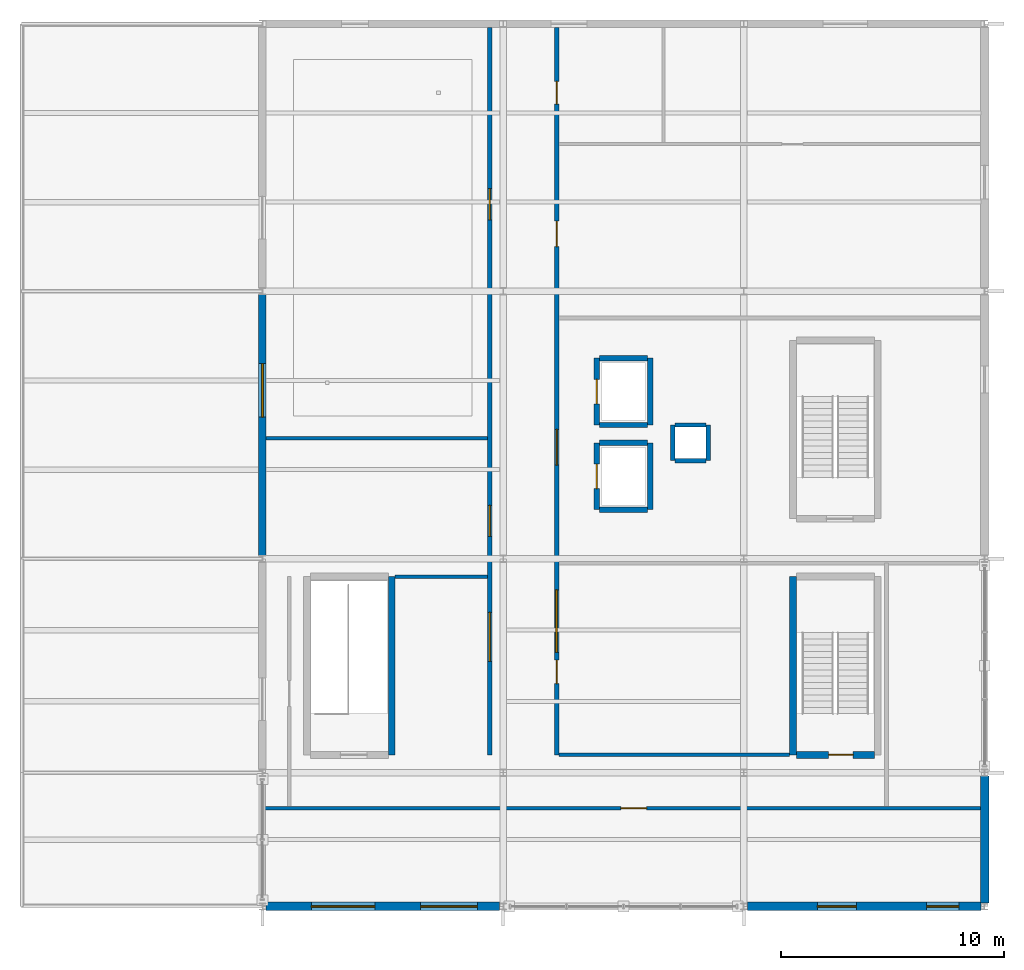
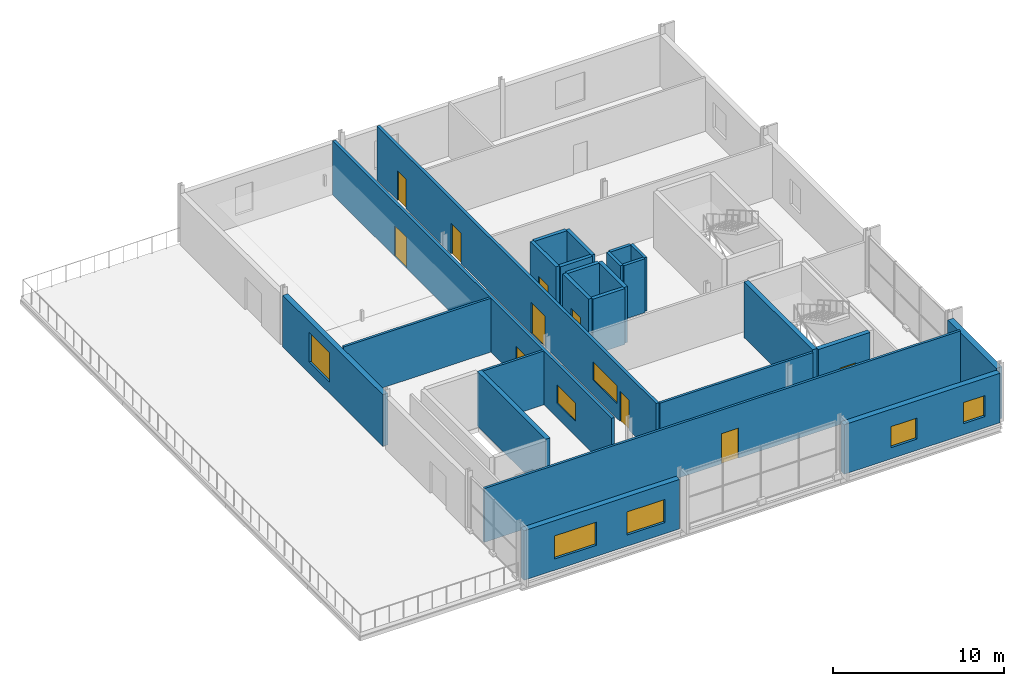
# One storey, part 11 of 13: 25 walls, 10 doors, 7 windows, 17 openings.
"""IFC4 building model written with IfcOpenShell, lengths in metres."""

from ifc_helpers import new_model, si_unit, direction, frame, frame_2d, origin, place, context, subcontext, project, spatial, rectangle, extrude, material, layer, layer_set, type_object, element, fill, save


model = new_model("IFC4")

# Units and contexts
model_context = context("Model", 3, precision=1e-05, world=origin(), true_north=direction((0.0, 1.0)))
body_context = subcontext(model_context, "Body", "Model", "MODEL_VIEW")
ifc_project = project(units=[si_unit("LENGTHUNIT", "METRE"), si_unit("AREAUNIT", "SQUARE_METRE"), si_unit("VOLUMEUNIT", "CUBIC_METRE"), si_unit("PLANEANGLEUNIT", "RADIAN"), si_unit("MASSUNIT", "GRAM", prefix="KILO")], contexts=[model_context])

# Site, building, storey
site_placement = place(None, origin())
site = spatial("IfcSite", under=ifc_project, at=site_placement, CompositionType="ELEMENT")
building_placement = place(site_placement, origin())
building = spatial("IfcBuilding", under=site, at=building_placement, Name="Merenkruunu Market Hall", CompositionType="ELEMENT")
storey_placement = place(building_placement, frame((0.0, 0.0, 14.39990234375)))
storey = spatial("IfcBuildingStorey", under=building, at=storey_placement, Name="L03", CompositionType="ELEMENT", Elevation=14.39990234375)

# Wall, openings, windows
ifc_material_1 = material(Name="Precast concrete C40/50", Category="concrete")
ifc_layer_1 = layer(ifc_material_1, 0.3798828125)
ifc_layer_set_1 = layer_set([ifc_layer_1], Name="Precast concrete C40/50")
wall_type_1 = type_object("IfcWallType", Name="Exterior Envelope Wall EW02", PredefinedType="STANDARD", material=ifc_layer_set_1)
wall_1_placement = place(storey_placement, frame((170.24609375, 0.0, 0.0), z_axis=(0.0, 0.0, 1.0), x_axis=(-1.0, 0.0, 0.0)))
wall_1 = element("IfcWall", 1, at=wall_1_placement, inside=storey, type_object=wall_type_1, Name="WALL-EXT-L03-0095", PredefinedType="STANDARD", context=body_context, shape_type="SweptSolid", body=[
    extrude(rectangle(XDim=10.4921875, YDim=0.3798828125, at=frame_2d((5.24609375, 0.0))), origin(), (0.0, 0.0, 1.0), 3.53515625),
])
opening_1_placement = place(wall_1_placement, frame((1.0, 0.0, 0.800048828125)))
opening_1 = element("IfcOpeningElement", 2, at=opening_1_placement, cuts=wall_1, Name="Opening WN27", PredefinedType="OPENING", context=body_context, shape_type="SweptSolid", body=[
    extrude(rectangle(XDim=2.550048828125, YDim=1.64990234375, at=frame_2d((1.27490234375, 0.824951171875))), frame((0.0, 0.199951171875, 0.0), z_axis=(0.0, -1.0, 0.0), x_axis=(1.0, 0.0, 0.0)), (0.0, 0.0, 1.0), 0.39990234375),
])
opening_2_placement = place(wall_1_placement, frame((5.60009765625, 0.0, 0.800048828125)))
opening_2 = element("IfcOpeningElement", 3, at=opening_2_placement, cuts=wall_1, Name="Opening WN28", PredefinedType="OPENING", context=body_context, shape_type="SweptSolid", body=[
    extrude(rectangle(XDim=2.85009765625, YDim=1.64990234375, at=frame_2d((1.425048828125, 0.824951171875))), frame((0.0, 0.199951171875, 0.0), z_axis=(0.0, -1.0, 0.0), x_axis=(1.0, 0.0, 0.0)), (0.0, 0.0, 1.0), 0.39990234375),
])
ifc_material_2 = material(Name="Triple low-E insulated glass", Category="glass")
ifc_layer_2 = layer(ifc_material_2, 0.06005859375)
ifc_layer_set_2 = layer_set([ifc_layer_2], Name="Triple low-E insulated glass")
window_type_1 = type_object("IfcWindowType", Name="Exterior Window WN27", PartitioningType="SINGLE_PANEL", PredefinedType="WINDOW", material=ifc_layer_set_2)
window_1_placement = place(opening_1_placement, origin())
window_1 = element("IfcWindow", 4, at=window_1_placement, inside=storey, type_object=window_type_1, Name="WIN-L03-0050", OverallHeight=1.64990234375, OverallWidth=2.550048828125, PartitioningType="SINGLE_PANEL", PredefinedType="WINDOW", context=body_context, shape_type="SweptSolid", body=[
    extrude(rectangle(XDim=2.550048828125, YDim=1.64990234375, at=frame_2d((1.27490234375, 0.824951171875))), frame((0.0, 0.030029296875, 0.0), z_axis=(0.0, -1.0, 0.0), x_axis=(1.0, 0.0, 0.0)), (0.0, 0.0, 1.0), 0.06005859375),
])
fill(opening_1, window_1)
ifc_layer_3 = layer(ifc_material_2, 0.06005859375)
ifc_layer_set_3 = layer_set([ifc_layer_3], Name="Triple low-E insulated glass")
window_type_2 = type_object("IfcWindowType", Name="Exterior Window WN28", PartitioningType="SINGLE_PANEL", PredefinedType="WINDOW", material=ifc_layer_set_3)
window_2_placement = place(opening_2_placement, origin())
window_2 = element("IfcWindow", 5, at=window_2_placement, inside=storey, type_object=window_type_2, Name="WIN-L03-0051", OverallHeight=1.64990234375, OverallWidth=2.85009765625, PartitioningType="SINGLE_PANEL", PredefinedType="WINDOW", context=body_context, shape_type="SweptSolid", body=[
    extrude(rectangle(XDim=2.85009765625, YDim=1.64990234375, at=frame_2d((1.425048828125, 0.824951171875))), frame((0.0, 0.030029296875, 0.0), z_axis=(0.0, -1.0, 0.0), x_axis=(1.0, 0.0, 0.0)), (0.0, 0.0, 1.0), 0.06005859375),
])
fill(opening_2, window_2)

wall_2_placement = place(storey_placement, frame((191.845947265625, 0.0, 0.0), z_axis=(0.0, 0.0, 1.0), x_axis=(-1.0, 0.0, 0.0)))
wall_2 = element("IfcWall", 6, at=wall_2_placement, inside=storey, type_object=wall_type_1, Name="WALL-EXT-L03-0096", PredefinedType="STANDARD", context=body_context, shape_type="SweptSolid", body=[
    extrude(rectangle(XDim=10.491943359375, YDim=0.3798828125, at=frame_2d((5.24609375, 0.0))), origin(), (0.0, 0.0, 1.0), 3.53515625),
])
opening_3_placement = place(wall_2_placement, frame((1.0, 0.0, 0.800048828125)))
opening_3 = element("IfcOpeningElement", 7, at=opening_3_placement, cuts=wall_2, Name="Opening WN29", PredefinedType="OPENING", context=body_context, shape_type="SweptSolid", body=[
    extrude(rectangle(XDim=1.449951171875, YDim=1.5, at=frame_2d((0.72509765625, 0.75))), frame((0.0, 0.199951171875, 0.0), z_axis=(0.0, -1.0, 0.0), x_axis=(1.0, 0.0, 0.0)), (0.0, 0.0, 1.0), 0.39990234375),
])
opening_4_placement = place(wall_2_placement, frame((5.60009765625, 0.0, 0.800048828125)))
opening_4 = element("IfcOpeningElement", 8, at=opening_4_placement, cuts=wall_2, Name="Opening WN30", PredefinedType="OPENING", context=body_context, shape_type="SweptSolid", body=[
    extrude(rectangle(XDim=1.75, YDim=1.5, at=frame_2d((0.875, 0.75))), frame((0.0, 0.199951171875, 0.0), z_axis=(0.0, -1.0, 0.0), x_axis=(1.0, 0.0, 0.0)), (0.0, 0.0, 1.0), 0.39990234375),
])
ifc_layer_4 = layer(ifc_material_2, 0.06005859375)
ifc_layer_set_4 = layer_set([ifc_layer_4], Name="Triple low-E insulated glass")
window_type_3 = type_object("IfcWindowType", Name="Exterior Window WN29", PartitioningType="SINGLE_PANEL", PredefinedType="WINDOW", material=ifc_layer_set_4)
window_3_placement = place(opening_3_placement, origin())
window_3 = element("IfcWindow", 9, at=window_3_placement, inside=storey, type_object=window_type_3, Name="WIN-L03-0052", OverallHeight=1.5, OverallWidth=1.449951171875, PartitioningType="SINGLE_PANEL", PredefinedType="WINDOW", context=body_context, shape_type="SweptSolid", body=[
    extrude(rectangle(XDim=1.449951171875, YDim=1.5, at=frame_2d((0.72509765625, 0.75))), frame((0.0, 0.030029296875, 0.0), z_axis=(0.0, -1.0, 0.0), x_axis=(1.0, 0.0, 0.0)), (0.0, 0.0, 1.0), 0.06005859375),
])
fill(opening_3, window_3)
ifc_layer_5 = layer(ifc_material_2, 0.06005859375)
ifc_layer_set_5 = layer_set([ifc_layer_5], Name="Triple low-E insulated glass")
window_type_4 = type_object("IfcWindowType", Name="Exterior Window WN30", PartitioningType="SINGLE_PANEL", PredefinedType="WINDOW", material=ifc_layer_set_5)
window_4_placement = place(opening_4_placement, origin())
window_4 = element("IfcWindow", 10, at=window_4_placement, inside=storey, type_object=window_type_4, Name="WIN-L03-0053", OverallHeight=1.5, OverallWidth=1.75, PartitioningType="SINGLE_PANEL", PredefinedType="WINDOW", context=body_context, shape_type="SweptSolid", body=[
    extrude(rectangle(XDim=1.75, YDim=1.5, at=frame_2d((0.875, 0.75))), frame((0.0, 0.030029296875, 0.0), z_axis=(0.0, -1.0, 0.0), x_axis=(1.0, 0.0, 0.0)), (0.0, 0.0, 1.0), 0.06005859375),
])
fill(opening_4, window_4)

# Wall
wall_3_placement = place(storey_placement, frame((192.0, 5.845947265625, 0.0), z_axis=(0.0, 0.0, 1.0), x_axis=(0.0, -1.0, 0.0)))
element("IfcWall", 11, at=wall_3_placement, inside=storey, type_object=wall_type_1, Name="WALL-EXT-L03-0097", PredefinedType="STANDARD", context=body_context, shape_type="SweptSolid", body=[
    extrude(rectangle(XDim=5.69189453125, YDim=0.3798828125, at=frame_2d((2.845947265625, 0.0))), origin(), (0.0, 0.0, 1.0), 3.68505859375),
])

# Wall, opening, window
ifc_layer_6 = layer(ifc_material_1, 0.340087890625)
ifc_layer_set_6 = layer_set([ifc_layer_6], Name="Precast concrete C40/50")
wall_type_2 = type_object("IfcWallType", Name="Exterior Envelope Wall EW03", PredefinedType="STANDARD", material=ifc_layer_set_6)
wall_4_placement = place(storey_placement, frame((159.60009765625, 15.75390625, 0.0), z_axis=(0.0, 0.0, 1.0), x_axis=(0.0, 1.0, 0.0)))
wall_4 = element("IfcWall", 12, at=wall_4_placement, inside=storey, type_object=wall_type_2, Name="WALL-EXT-L03-0104", PredefinedType="STANDARD", context=body_context, shape_type="SweptSolid", body=[
    extrude(rectangle(XDim=11.692138671875, YDim=0.340087890625, at=frame_2d((5.84619140625, 0.0))), origin(), (0.0, 0.0, 1.0), 3.68505859375),
])
opening_5_placement = place(wall_4_placement, frame((6.199951171875, 0.0, 0.800048828125)))
opening_5 = element("IfcOpeningElement", 13, at=opening_5_placement, cuts=wall_4, Name="Opening WN11", PredefinedType="OPENING", context=body_context, shape_type="SweptSolid", body=[
    extrude(rectangle(XDim=2.39990234375, YDim=2.10009765625, at=frame_2d((1.199951171875, 1.050048828125))), frame((0.0, 0.18017578125, 0.0), z_axis=(0.0, -1.0, 0.0), x_axis=(1.0, 0.0, 0.0)), (0.0, 0.0, 1.0), 0.360107421875),
])
ifc_layer_7 = layer(ifc_material_2, 0.06005859375)
ifc_layer_set_7 = layer_set([ifc_layer_7], Name="Triple low-E insulated glass")
window_type_5 = type_object("IfcWindowType", Name="Exterior Window WN11", PartitioningType="SINGLE_PANEL", PredefinedType="WINDOW", material=ifc_layer_set_7)
window_5_placement = place(opening_5_placement, origin())
window_5 = element("IfcWindow", 14, at=window_5_placement, inside=storey, type_object=window_type_5, Name="WIN-L03-0059", OverallHeight=2.10009765625, OverallWidth=2.39990234375, PartitioningType="SINGLE_PANEL", PredefinedType="WINDOW", context=body_context, shape_type="SweptSolid", body=[
    extrude(rectangle(XDim=2.39990234375, YDim=2.10009765625, at=frame_2d((1.199951171875, 1.050048828125))), frame((0.0, 0.030029296875, 0.0), z_axis=(0.0, -1.0, 0.0), x_axis=(1.0, 0.0, 0.0)), (0.0, 0.0, 1.0), 0.06005859375),
])
fill(opening_5, window_5)

# Wall, openings, doors, window
ifc_material_3 = material(Name="Gypsum fire compartment board")
ifc_layer_8 = layer(ifc_material_3, 0.199951171875)
ifc_layer_set_8 = layer_set([ifc_layer_8], Name="Gypsum fire compartment board")
wall_type_3 = type_object("IfcWallType", Name="Interior Partition Wall FW02", PredefinedType="PARTITIONING", material=ifc_layer_set_8)
wall_5_placement = place(storey_placement, frame((169.800048828125, 6.800048828125, 0.0), z_axis=(0.0, 0.0, 1.0), x_axis=(0.0, 1.0, 0.0)))
wall_5 = element("IfcWall", 15, at=wall_5_placement, inside=storey, type_object=wall_type_3, Name="WALL-INT-L03-0087", PredefinedType="PARTITIONING", context=body_context, shape_type="SweptSolid", body=[
    extrude(rectangle(XDim=32.6279296875, YDim=0.199951171875, at=frame_2d((16.31396484375, 0.0))), origin(), (0.0, 0.0, 1.0), 3.840087890625),
])
opening_6_placement = place(wall_5_placement, frame((9.800048828125, 0.0, 0.0)))
opening_6 = element("IfcOpeningElement", 16, at=opening_6_placement, cuts=wall_5, Name="Opening FD04", PredefinedType="OPENING", context=body_context, shape_type="SweptSolid", body=[
    extrude(rectangle(XDim=1.39990234375, YDim=2.199951171875, at=frame_2d((0.699951171875, 1.10009765625))), frame((0.0, 0.10986328125, 0.0), z_axis=(0.0, -1.0, 0.0), x_axis=(1.0, 0.0, 0.0)), (0.0, 0.0, 1.0), 0.219970703125),
])
opening_7_placement = place(wall_5_placement, frame((24.0, 0.0, 0.0)))
opening_7 = element("IfcOpeningElement", 17, at=opening_7_placement, cuts=wall_5, Name="Opening FD04", PredefinedType="OPENING", context=body_context, shape_type="SweptSolid", body=[
    extrude(rectangle(XDim=1.39990234375, YDim=2.199951171875, at=frame_2d((0.699951171875, 1.10009765625))), frame((0.0, 0.10986328125, 0.0), z_axis=(0.0, -1.0, 0.0), x_axis=(1.0, 0.0, 0.0)), (0.0, 0.0, 1.0), 0.219970703125),
])
opening_8_placement = place(wall_5_placement, frame((4.199951171875, 0.0, 1.050048828125)))
opening_8 = element("IfcOpeningElement", 18, at=opening_8_placement, cuts=wall_5, Name="Opening WN21", PredefinedType="OPENING", context=body_context, shape_type="SweptSolid", body=[
    extrude(rectangle(XDim=2.199951171875, YDim=1.300048828125, at=frame_2d((1.10009765625, 0.64990234375))), frame((0.0, 0.10986328125, 0.0), z_axis=(0.0, -1.0, 0.0), x_axis=(1.0, 0.0, 0.0)), (0.0, 0.0, 1.0), 0.219970703125),
])
ifc_material_4 = material(Name="Powder-coated aluminium", Category="aluminium")
door_type_1 = type_object("IfcDoorType", Name="Fire Compartment Door FD04", OperationType="NOTDEFINED", PredefinedType="DOOR", material=ifc_material_4)
door_1_placement = place(opening_6_placement, origin())
door_1 = element("IfcDoor", 19, at=door_1_placement, inside=storey, type_object=door_type_1, Name="DR-L03-082", OperationType="SINGLE_SWING_RIGHT", OverallHeight=2.199951171875, OverallWidth=1.39990234375, PredefinedType="DOOR", context=body_context, shape_type="SweptSolid", body=[
    extrude(rectangle(XDim=1.39990234375, YDim=2.199951171875, at=frame_2d((0.699951171875, 1.10009765625))), frame((0.0, 0.02490234375, 0.0), z_axis=(0.0, -1.0, 0.0), x_axis=(1.0, 0.0, 0.0)), (0.0, 0.0, 1.0), 0.050048828125),
])
fill(opening_6, door_1)
door_2_placement = place(opening_7_placement, origin())
door_2 = element("IfcDoor", 20, at=door_2_placement, inside=storey, type_object=door_type_1, Name="DR-L03-083", OperationType="SINGLE_SWING_LEFT", OverallHeight=2.199951171875, OverallWidth=1.39990234375, PredefinedType="DOOR", context=body_context, shape_type="SweptSolid", body=[
    extrude(rectangle(XDim=1.39990234375, YDim=2.199951171875, at=frame_2d((0.699951171875, 1.10009765625))), frame((0.0, 0.02490234375, 0.0), z_axis=(0.0, -1.0, 0.0), x_axis=(1.0, 0.0, 0.0)), (0.0, 0.0, 1.0), 0.050048828125),
])
fill(opening_7, door_2)
ifc_material_5 = material(Name="Laminated safety glass", Category="glass")
ifc_layer_9 = layer(ifc_material_5, 0.06005859375)
ifc_layer_set_9 = layer_set([ifc_layer_9], Name="Laminated safety glass")
window_type_6 = type_object("IfcWindowType", Name="Internal Observation Window WN21", PartitioningType="SINGLE_PANEL", PredefinedType="WINDOW", material=ifc_layer_set_9)
window_6_placement = place(opening_8_placement, origin())
window_6 = element("IfcWindow", 21, at=window_6_placement, inside=storey, type_object=window_type_6, Name="WIN-INT-L03-05", OverallHeight=1.300048828125, OverallWidth=2.199951171875, PartitioningType="SINGLE_PANEL", PredefinedType="WINDOW", context=body_context, shape_type="SweptSolid", body=[
    extrude(rectangle(XDim=2.199951171875, YDim=1.300048828125, at=frame_2d((1.10009765625, 0.64990234375))), frame((0.0, 0.030029296875, 0.0), z_axis=(0.0, -1.0, 0.0), x_axis=(1.0, 0.0, 0.0)), (0.0, 0.0, 1.0), 0.06005859375),
])
fill(opening_8, window_6)

wall_6_placement = place(storey_placement, frame((172.800048828125, 6.800048828125, 0.0), z_axis=(0.0, 0.0, 1.0), x_axis=(0.0, 1.0, 0.0)))
wall_6 = element("IfcWall", 22, at=wall_6_placement, inside=storey, type_object=wall_type_3, Name="WALL-INT-L03-0091", PredefinedType="PARTITIONING", context=body_context, shape_type="SweptSolid", body=[
    extrude(rectangle(XDim=32.6279296875, YDim=0.199951171875, at=frame_2d((16.31396484375, 0.0))), origin(), (0.0, 0.0, 1.0), 3.840087890625),
])
opening_9_placement = place(wall_6_placement, frame((3.199951171875, 0.0, 0.0)))
opening_9 = element("IfcOpeningElement", 23, at=opening_9_placement, cuts=wall_6, Name="Opening D03", PredefinedType="OPENING", context=body_context, shape_type="SweptSolid", body=[
    extrude(rectangle(XDim=1.050048828125, YDim=2.14990234375, at=frame_2d((0.52490234375, 1.074951171875))), frame((0.0, 0.10986328125, 0.0), z_axis=(0.0, -1.0, 0.0), x_axis=(1.0, 0.0, 0.0)), (0.0, 0.0, 1.0), 0.219970703125),
])
opening_10_placement = place(wall_6_placement, frame((13.0, 0.0, 0.0)))
opening_10 = element("IfcOpeningElement", 24, at=opening_10_placement, cuts=wall_6, Name="Opening FD05", PredefinedType="OPENING", context=body_context, shape_type="SweptSolid", body=[
    extrude(rectangle(XDim=1.60009765625, YDim=2.199951171875, at=frame_2d((0.800048828125, 1.10009765625))), frame((0.0, 0.10986328125, 0.0), z_axis=(0.0, -1.0, 0.0), x_axis=(1.0, 0.0, 0.0)), (0.0, 0.0, 1.0), 0.219970703125),
])
opening_11_placement = place(wall_6_placement, frame((22.800048828125, 0.0, 0.0)))
opening_11 = element("IfcOpeningElement", 25, at=opening_11_placement, cuts=wall_6, Name="Opening D04", PredefinedType="OPENING", context=body_context, shape_type="SweptSolid", body=[
    extrude(rectangle(XDim=1.14990234375, YDim=2.14990234375, at=frame_2d((0.574951171875, 1.074951171875))), frame((0.0, 0.10986328125, 0.0), z_axis=(0.0, -1.0, 0.0), x_axis=(1.0, 0.0, 0.0)), (0.0, 0.0, 1.0), 0.219970703125),
])
opening_12_placement = place(wall_6_placement, frame((29.199951171875, 0.0, 0.0)))
opening_12 = element("IfcOpeningElement", 26, at=opening_12_placement, cuts=wall_6, Name="Opening D08", PredefinedType="OPENING", context=body_context, shape_type="SweptSolid", body=[
    extrude(rectangle(XDim=1.02001953125, YDim=2.1201171875, at=frame_2d((0.510009765625, 1.06005859375))), frame((0.0, 0.10986328125, 0.0), z_axis=(0.0, -1.0, 0.0), x_axis=(1.0, 0.0, 0.0)), (0.0, 0.0, 1.0), 0.219970703125),
])
opening_13_placement = place(wall_6_placement, frame((4.60009765625, 0.0, 1.050048828125)))
opening_13 = element("IfcOpeningElement", 27, at=opening_13_placement, cuts=wall_6, Name="Opening WN22", PredefinedType="OPENING", context=body_context, shape_type="SweptSolid", body=[
    extrude(rectangle(XDim=2.800048828125, YDim=1.300048828125, at=frame_2d((1.39990234375, 0.64990234375))), frame((0.0, 0.10986328125, 0.0), z_axis=(0.0, -1.0, 0.0), x_axis=(1.0, 0.0, 0.0)), (0.0, 0.0, 1.0), 0.219970703125),
])
ifc_material_6 = material(Name="Lacquered Nordic birch")
door_type_2 = type_object("IfcDoorType", Name="Accessible Sanitary Door D08", OperationType="NOTDEFINED", PredefinedType="DOOR", material=ifc_material_6)
door_3_placement = place(opening_12_placement, origin())
door_3 = element("IfcDoor", 28, at=door_3_placement, inside=storey, type_object=door_type_2, Name="DR-L03-088", OperationType="SINGLE_SWING_RIGHT", OverallHeight=2.1201171875, OverallWidth=1.02001953125, PredefinedType="DOOR", context=body_context, shape_type="SweptSolid", body=[
    extrude(rectangle(XDim=1.02001953125, YDim=2.1201171875, at=frame_2d((0.510009765625, 1.06005859375))), frame((0.0, 0.02490234375, 0.0), z_axis=(0.0, -1.0, 0.0), x_axis=(1.0, 0.0, 0.0)), (0.0, 0.0, 1.0), 0.050048828125),
])
fill(opening_12, door_3)
door_type_3 = type_object("IfcDoorType", Name="Fire Compartment Door FD05", OperationType="NOTDEFINED", PredefinedType="DOOR", material=ifc_material_4)
door_4_placement = place(opening_10_placement, origin())
door_4 = element("IfcDoor", 29, at=door_4_placement, inside=storey, type_object=door_type_3, Name="DR-L03-086", OperationType="SINGLE_SWING_RIGHT", OverallHeight=2.199951171875, OverallWidth=1.60009765625, PredefinedType="DOOR", context=body_context, shape_type="SweptSolid", body=[
    extrude(rectangle(XDim=1.60009765625, YDim=2.199951171875, at=frame_2d((0.800048828125, 1.10009765625))), frame((0.0, 0.02490234375, 0.0), z_axis=(0.0, -1.0, 0.0), x_axis=(1.0, 0.0, 0.0)), (0.0, 0.0, 1.0), 0.050048828125),
])
fill(opening_10, door_4)
ifc_layer_10 = layer(ifc_material_5, 0.06005859375)
ifc_layer_set_10 = layer_set([ifc_layer_10], Name="Laminated safety glass")
window_type_7 = type_object("IfcWindowType", Name="Internal Observation Window WN22", PartitioningType="SINGLE_PANEL", PredefinedType="WINDOW", material=ifc_layer_set_10)
window_7_placement = place(opening_13_placement, origin())
window_7 = element("IfcWindow", 30, at=window_7_placement, inside=storey, type_object=window_type_7, Name="WIN-INT-L03-06", OverallHeight=1.300048828125, OverallWidth=2.800048828125, PartitioningType="SINGLE_PANEL", PredefinedType="WINDOW", context=body_context, shape_type="SweptSolid", body=[
    extrude(rectangle(XDim=2.800048828125, YDim=1.300048828125, at=frame_2d((1.39990234375, 0.64990234375))), frame((0.0, 0.030029296875, 0.0), z_axis=(0.0, -1.0, 0.0), x_axis=(1.0, 0.0, 0.0)), (0.0, 0.0, 1.0), 0.06005859375),
])
fill(opening_13, window_7)
door_type_4 = type_object("IfcDoorType", Name="Pedestrian Room Door D03", OperationType="NOTDEFINED", PredefinedType="DOOR", material=ifc_material_6)
door_5_placement = place(opening_9_placement, origin())
door_5 = element("IfcDoor", 31, at=door_5_placement, inside=storey, type_object=door_type_4, Name="DR-L03-085", OperationType="SINGLE_SWING_LEFT", OverallHeight=2.14990234375, OverallWidth=1.050048828125, PredefinedType="DOOR", context=body_context, shape_type="SweptSolid", body=[
    extrude(rectangle(XDim=1.050048828125, YDim=2.14990234375, at=frame_2d((0.52490234375, 1.074951171875))), frame((0.0, 0.02490234375, 0.0), z_axis=(0.0, -1.0, 0.0), x_axis=(1.0, 0.0, 0.0)), (0.0, 0.0, 1.0), 0.050048828125),
])
fill(opening_9, door_5)
door_type_5 = type_object("IfcDoorType", Name="Pedestrian Room Door D04", OperationType="NOTDEFINED", PredefinedType="DOOR", material=ifc_material_6)
door_6_placement = place(opening_11_placement, origin())
door_6 = element("IfcDoor", 32, at=door_6_placement, inside=storey, type_object=door_type_5, Name="DR-L03-087", OperationType="SINGLE_SWING_LEFT", OverallHeight=2.14990234375, OverallWidth=1.14990234375, PredefinedType="DOOR", context=body_context, shape_type="SweptSolid", body=[
    extrude(rectangle(XDim=1.14990234375, YDim=2.14990234375, at=frame_2d((0.574951171875, 1.074951171875))), frame((0.0, 0.02490234375, 0.0), z_axis=(0.0, -1.0, 0.0), x_axis=(1.0, 0.0, 0.0)), (0.0, 0.0, 1.0), 0.050048828125),
])
fill(opening_11, door_6)

# Walls
wall_7_placement = place(storey_placement, frame((178.10205078125, 20.0, 0.0), z_axis=(0.0, 0.0, 1.0), x_axis=(1.0, 0.0, 0.0)))
element("IfcWall", 33, at=wall_7_placement, inside=storey, type_object=wall_type_3, Name="WALL-INT-L03-0139", PredefinedType="PARTITIONING", context=body_context, shape_type="SweptSolid", body=[
    extrude(rectangle(XDim=1.39599609375, YDim=0.199951171875, at=frame_2d((0.697998046875, 0.0))), origin(), (0.0, 0.0, 1.0), 3.840087890625),
])
wall_8_placement = place(storey_placement, frame((179.60009765625, 20.0, 0.0), z_axis=(0.0, 0.0, 1.0), x_axis=(0.0, 1.0, 0.0)))
element("IfcWall", 34, at=wall_8_placement, inside=storey, type_object=wall_type_3, Name="WALL-INT-L03-0140", PredefinedType="PARTITIONING", context=body_context, shape_type="SweptSolid", body=[
    extrude(rectangle(XDim=1.60009765625, YDim=0.199951171875, at=frame_2d((0.800048828125, 0.0))), origin(), (0.0, 0.0, 1.0), 3.840087890625),
])
wall_9_placement = place(storey_placement, frame((179.498046875, 21.60009765625, 0.0), z_axis=(0.0, 0.0, 1.0), x_axis=(-1.0, 0.0, 0.0)))
element("IfcWall", 35, at=wall_9_placement, inside=storey, type_object=wall_type_3, Name="WALL-INT-L03-0141", PredefinedType="PARTITIONING", context=body_context, shape_type="SweptSolid", body=[
    extrude(rectangle(XDim=1.39599609375, YDim=0.199951171875, at=frame_2d((0.697998046875, 0.0))), origin(), (0.0, 0.0, 1.0), 3.840087890625),
])
wall_10_placement = place(storey_placement, frame((178.0, 21.60009765625, 0.0), z_axis=(0.0, 0.0, 1.0), x_axis=(0.0, -1.0, 0.0)))
element("IfcWall", 36, at=wall_10_placement, inside=storey, type_object=wall_type_3, Name="WALL-INT-L03-0142", PredefinedType="PARTITIONING", context=body_context, shape_type="SweptSolid", body=[
    extrude(rectangle(XDim=1.60009765625, YDim=0.199951171875, at=frame_2d((0.800048828125, 0.0))), origin(), (0.0, 0.0, 1.0), 3.840087890625),
])

# Wall, opening, door
ifc_material_7 = material(Name="Gypsum acoustic partition board")
ifc_layer_11 = layer(ifc_material_7, 0.159912109375)
ifc_layer_set_11 = layer_set([ifc_layer_11], Name="Gypsum acoustic partition board")
wall_type_4 = type_object("IfcWallType", Name="Interior Partition Wall PW01", PredefinedType="PARTITIONING", material=ifc_layer_set_11)
wall_11_placement = place(storey_placement, frame((159.681884765625, 4.39990234375, 0.0), z_axis=(0.0, 0.0, 1.0), x_axis=(1.0, 0.0, 0.0)))
wall_11 = element("IfcWall", 37, at=wall_11_placement, inside=storey, type_object=wall_type_4, Name="WALL-INT-L03-0086", PredefinedType="PARTITIONING", context=body_context, shape_type="SweptSolid", body=[
    extrude(rectangle(XDim=32.126220703125, YDim=0.159912109375, at=frame_2d((16.06298828125, 0.0))), origin(), (0.0, 0.0, 1.0), 3.840087890625),
])
opening_14_placement = place(wall_11_placement, frame((16.0, 0.0, 0.0)))
opening_14 = element("IfcOpeningElement", 38, at=opening_14_placement, cuts=wall_11, Name="Opening D04", PredefinedType="OPENING", context=body_context, shape_type="SweptSolid", body=[
    extrude(rectangle(XDim=1.14990234375, YDim=2.14990234375, at=frame_2d((0.574951171875, 1.074951171875))), frame((0.0, 0.08984375, 0.0), z_axis=(0.0, -1.0, 0.0), x_axis=(1.0, 0.0, 0.0)), (0.0, 0.0, 1.0), 0.179931640625),
])
door_7_placement = place(opening_14_placement, origin())
door_7 = element("IfcDoor", 39, at=door_7_placement, inside=storey, type_object=door_type_5, Name="DR-L03-081", OperationType="SINGLE_SWING_LEFT", OverallHeight=2.14990234375, OverallWidth=1.14990234375, PredefinedType="DOOR", context=body_context, shape_type="SweptSolid", body=[
    extrude(rectangle(XDim=1.14990234375, YDim=2.14990234375, at=frame_2d((0.574951171875, 1.074951171875))), frame((0.0, 0.02490234375, 0.0), z_axis=(0.0, -1.0, 0.0), x_axis=(1.0, 0.0, 0.0)), (0.0, 0.0, 1.0), 0.050048828125),
])
fill(opening_14, door_7)

# Walls
wall_12_placement = place(storey_placement, frame((165.552001953125, 14.800048828125, 0.0), z_axis=(0.0, 0.0, 1.0), x_axis=(1.0, 0.0, 0.0)))
element("IfcWall", 40, at=wall_12_placement, inside=storey, type_object=wall_type_4, Name="WALL-INT-L03-0089", PredefinedType="PARTITIONING", context=body_context, shape_type="SweptSolid", body=[
    extrude(rectangle(XDim=4.14599609375, YDim=0.159912109375, at=frame_2d((2.072998046875, 0.0))), origin(), (0.0, 0.0, 1.0), 3.840087890625),
])
wall_13_placement = place(storey_placement, frame((159.77197265625, 21.0, 0.0), z_axis=(0.0, 0.0, 1.0), x_axis=(1.0, 0.0, 0.0)))
element("IfcWall", 41, at=wall_13_placement, inside=storey, type_object=wall_type_4, Name="WALL-INT-L03-0090", PredefinedType="PARTITIONING", context=body_context, shape_type="SweptSolid", body=[
    extrude(rectangle(XDim=9.926025390625, YDim=0.159912109375, at=frame_2d((4.962890625, 0.0))), origin(), (0.0, 0.0, 1.0), 3.840087890625),
])
wall_14_placement = place(storey_placement, frame((172.902099609375, 6.800048828125, 0.0), z_axis=(0.0, 0.0, 1.0), x_axis=(1.0, 0.0, 0.0)))
element("IfcWall", 42, at=wall_14_placement, inside=storey, type_object=wall_type_4, Name="WALL-INT-L03-0092", PredefinedType="PARTITIONING", context=body_context, shape_type="SweptSolid", body=[
    extrude(rectangle(XDim=10.345947265625, YDim=0.159912109375, at=frame_2d((5.1728515625, 0.0))), origin(), (0.0, 0.0, 1.0), 3.840087890625),
])

# Wall, opening, door
ifc_material_8 = material(Name="Concrete C35/45", Category="concrete")
ifc_layer_12 = layer(ifc_material_8, 0.300048828125)
ifc_layer_set_12 = layer_set([ifc_layer_12], Name="Concrete C35/45")
wall_type_5 = type_object("IfcWallType", Name="Structural Shear Wall SW02", PredefinedType="SHEAR", material=ifc_layer_set_12)
wall_15_placement = place(storey_placement, frame((187.050048828125, 6.800048828125, 0.0), z_axis=(0.0, 0.0, 1.0), x_axis=(-1.0, 0.0, 0.0)))
wall_15 = element("IfcWall", 43, at=wall_15_placement, inside=storey, type_object=wall_type_5, Name="WALL-CORE-K5-L03-S", PredefinedType="SHEAR", context=body_context, shape_type="SweptSolid", body=[
    extrude(rectangle(XDim=3.5, YDim=0.300048828125, at=frame_2d((1.75, 0.0))), origin(), (0.0, 0.0, 1.0), 3.97998046875),
])
opening_15_placement = place(wall_15_placement, frame((0.949951171875, 0.0, 0.0)))
opening_15 = element("IfcOpeningElement", 44, at=opening_15_placement, cuts=wall_15, Name="Opening FD02", PredefinedType="OPENING", context=body_context, shape_type="SweptSolid", body=[
    extrude(rectangle(XDim=1.10009765625, YDim=2.14990234375, at=frame_2d((0.550048828125, 1.074951171875))), frame((0.0, 0.16015625, 0.0), z_axis=(0.0, -1.0, 0.0), x_axis=(1.0, 0.0, 0.0)), (0.0, 0.0, 1.0), 0.320068359375),
])
door_type_6 = type_object("IfcDoorType", Name="Fire Compartment Door FD02", OperationType="NOTDEFINED", PredefinedType="DOOR", material=ifc_material_4)
door_8_placement = place(opening_15_placement, origin())
door_8 = element("IfcDoor", 45, at=door_8_placement, inside=storey, type_object=door_type_6, Name="DR-L03-114", OperationType="SINGLE_SWING_RIGHT", OverallHeight=2.14990234375, OverallWidth=1.10009765625, PredefinedType="DOOR", context=body_context, shape_type="SweptSolid", body=[
    extrude(rectangle(XDim=1.10009765625, YDim=2.14990234375, at=frame_2d((0.550048828125, 1.074951171875))), frame((0.0, 0.02490234375, 0.0), z_axis=(0.0, -1.0, 0.0), x_axis=(1.0, 0.0, 0.0)), (0.0, 0.0, 1.0), 0.050048828125),
])
fill(opening_15, door_8)

# Walls
wall_16_placement = place(storey_placement, frame((183.39990234375, 14.800048828125, 0.0), z_axis=(0.0, 0.0, 1.0), x_axis=(0.0, -1.0, 0.0)))
element("IfcWall", 46, at=wall_16_placement, inside=storey, type_object=wall_type_5, Name="WALL-CORE-K5-L03-W", PredefinedType="SHEAR", context=body_context, shape_type="SweptSolid", body=[
    extrude(rectangle(XDim=8.0, YDim=0.300048828125, at=frame_2d((4.0, 0.0))), origin(), (0.0, 0.0, 1.0), 3.97998046875),
])
wall_17_placement = place(storey_placement, frame((165.39990234375, 6.800048828125, 0.0), z_axis=(0.0, 0.0, 1.0), x_axis=(0.0, 1.0, 0.0)))
element("IfcWall", 47, at=wall_17_placement, inside=storey, type_object=wall_type_5, Name="WALL-CORE-K9-L03-E", PredefinedType="SHEAR", context=body_context, shape_type="SweptSolid", body=[
    extrude(rectangle(XDim=8.0, YDim=0.300048828125, at=frame_2d((4.0, 0.0))), origin(), (0.0, 0.0, 1.0), 3.900146484375),
])
ifc_layer_13 = layer(ifc_material_8, 0.239990234375)
ifc_layer_set_13 = layer_set([ifc_layer_13], Name="Concrete C35/45")
wall_type_6 = type_object("IfcWallType", Name="Structural Shear Wall SW04", PredefinedType="SHEAR", material=ifc_layer_set_13)
wall_18_placement = place(storey_placement, frame((174.719970703125, 17.800048828125, 0.0), z_axis=(0.0, 0.0, 1.0), x_axis=(1.0, 0.0, 0.0)))
element("IfcWall", 48, at=wall_18_placement, inside=storey, type_object=wall_type_6, Name="WALL-LIFT-LP4-L03-S", PredefinedType="SHEAR", context=body_context, shape_type="SweptSolid", body=[
    extrude(rectangle(XDim=2.159912109375, YDim=0.239990234375, at=frame_2d((1.080078125, 0.0))), origin(), (0.0, 0.0, 1.0), 3.97998046875),
])
wall_19_placement = place(storey_placement, frame((177.0, 17.800048828125, 0.0), z_axis=(0.0, 0.0, 1.0), x_axis=(0.0, 1.0, 0.0)))
element("IfcWall", 49, at=wall_19_placement, inside=storey, type_object=wall_type_6, Name="WALL-LIFT-LP4-L03-E", PredefinedType="SHEAR", context=body_context, shape_type="SweptSolid", body=[
    extrude(rectangle(XDim=3.0, YDim=0.239990234375, at=frame_2d((1.5, 0.0))), origin(), (0.0, 0.0, 1.0), 3.97998046875),
])
wall_20_placement = place(storey_placement, frame((176.8798828125, 20.800048828125, 0.0), z_axis=(0.0, 0.0, 1.0), x_axis=(-1.0, 0.0, 0.0)))
element("IfcWall", 50, at=wall_20_placement, inside=storey, type_object=wall_type_6, Name="WALL-LIFT-LP4-L03-N", PredefinedType="SHEAR", context=body_context, shape_type="SweptSolid", body=[
    extrude(rectangle(XDim=2.159912109375, YDim=0.239990234375, at=frame_2d((1.080078125, 0.0))), origin(), (0.0, 0.0, 1.0), 3.97998046875),
])

# Wall, opening, door
wall_21_placement = place(storey_placement, frame((174.60009765625, 20.800048828125, 0.0), z_axis=(0.0, 0.0, 1.0), x_axis=(0.0, -1.0, 0.0)))
wall_21 = element("IfcWall", 51, at=wall_21_placement, inside=storey, type_object=wall_type_6, Name="WALL-LIFT-LP4-L03-W", PredefinedType="SHEAR", context=body_context, shape_type="SweptSolid", body=[
    extrude(rectangle(XDim=3.0, YDim=0.239990234375, at=frame_2d((1.5, 0.0))), origin(), (0.0, 0.0, 1.0), 3.97998046875),
])
opening_16_placement = place(wall_21_placement, frame((0.949951171875, 0.0, 0.0)))
opening_16 = element("IfcOpeningElement", 52, at=opening_16_placement, cuts=wall_21, Name="Opening LD01", PredefinedType="OPENING", context=body_context, shape_type="SweptSolid", body=[
    extrude(rectangle(XDim=1.10009765625, YDim=2.10009765625, at=frame_2d((0.550048828125, 1.050048828125))), frame((0.0, 0.1298828125, 0.0), z_axis=(0.0, -1.0, 0.0), x_axis=(1.0, 0.0, 0.0)), (0.0, 0.0, 1.0), 0.260009765625),
])
ifc_material_9 = material(Name="Brushed stainless steel", Category="steel")
door_type_7 = type_object("IfcDoorType", Name="Lift Landing Sliding Door LD01", OperationType="NOTDEFINED", PredefinedType="DOOR", material=ifc_material_9)
door_9_placement = place(opening_16_placement, origin())
door_9 = element("IfcDoor", 53, at=door_9_placement, inside=storey, type_object=door_type_7, Name="Lift landing door LP4 L03", OperationType="SLIDING_TO_LEFT", OverallHeight=2.10009765625, OverallWidth=1.10009765625, PredefinedType="DOOR", context=body_context, shape_type="SweptSolid", body=[
    extrude(rectangle(XDim=1.10009765625, YDim=2.10009765625, at=frame_2d((0.550048828125, 1.050048828125))), frame((0.0, 0.02490234375, 0.0), z_axis=(0.0, -1.0, 0.0), x_axis=(1.0, 0.0, 0.0)), (0.0, 0.0, 1.0), 0.050048828125),
])
fill(opening_16, door_9)

# Walls
wall_22_placement = place(storey_placement, frame((174.719970703125, 21.60009765625, 0.0), z_axis=(0.0, 0.0, 1.0), x_axis=(1.0, 0.0, 0.0)))
element("IfcWall", 54, at=wall_22_placement, inside=storey, type_object=wall_type_6, Name="WALL-LIFT-LP5-L03-S", PredefinedType="SHEAR", context=body_context, shape_type="SweptSolid", body=[
    extrude(rectangle(XDim=2.159912109375, YDim=0.239990234375, at=frame_2d((1.080078125, 0.0))), origin(), (0.0, 0.0, 1.0), 3.97998046875),
])
wall_23_placement = place(storey_placement, frame((177.0, 21.60009765625, 0.0), z_axis=(0.0, 0.0, 1.0), x_axis=(0.0, 1.0, 0.0)))
element("IfcWall", 55, at=wall_23_placement, inside=storey, type_object=wall_type_6, Name="WALL-LIFT-LP5-L03-E", PredefinedType="SHEAR", context=body_context, shape_type="SweptSolid", body=[
    extrude(rectangle(XDim=3.0, YDim=0.239990234375, at=frame_2d((1.5, 0.0))), origin(), (0.0, 0.0, 1.0), 3.97998046875),
])
wall_24_placement = place(storey_placement, frame((176.8798828125, 24.60009765625, 0.0), z_axis=(0.0, 0.0, 1.0), x_axis=(-1.0, 0.0, 0.0)))
element("IfcWall", 56, at=wall_24_placement, inside=storey, type_object=wall_type_6, Name="WALL-LIFT-LP5-L03-N", PredefinedType="SHEAR", context=body_context, shape_type="SweptSolid", body=[
    extrude(rectangle(XDim=2.159912109375, YDim=0.239990234375, at=frame_2d((1.080078125, 0.0))), origin(), (0.0, 0.0, 1.0), 3.97998046875),
])

# Wall, opening, door
wall_25_placement = place(storey_placement, frame((174.60009765625, 24.60009765625, 0.0), z_axis=(0.0, 0.0, 1.0), x_axis=(0.0, -1.0, 0.0)))
wall_25 = element("IfcWall", 57, at=wall_25_placement, inside=storey, type_object=wall_type_6, Name="WALL-LIFT-LP5-L03-W", PredefinedType="SHEAR", context=body_context, shape_type="SweptSolid", body=[
    extrude(rectangle(XDim=3.0, YDim=0.239990234375, at=frame_2d((1.5, 0.0))), origin(), (0.0, 0.0, 1.0), 3.97998046875),
])
opening_17_placement = place(wall_25_placement, frame((0.949951171875, 0.0, 0.0)))
opening_17 = element("IfcOpeningElement", 58, at=opening_17_placement, cuts=wall_25, Name="Opening LD01", PredefinedType="OPENING", context=body_context, shape_type="SweptSolid", body=[
    extrude(rectangle(XDim=1.10009765625, YDim=2.10009765625, at=frame_2d((0.550048828125, 1.050048828125))), frame((0.0, 0.1298828125, 0.0), z_axis=(0.0, -1.0, 0.0), x_axis=(1.0, 0.0, 0.0)), (0.0, 0.0, 1.0), 0.260009765625),
])
door_10_placement = place(opening_17_placement, origin())
door_10 = element("IfcDoor", 59, at=door_10_placement, inside=storey, type_object=door_type_7, Name="Lift landing door LP5 L03", OperationType="SLIDING_TO_LEFT", OverallHeight=2.10009765625, OverallWidth=1.10009765625, PredefinedType="DOOR", context=body_context, shape_type="SweptSolid", body=[
    extrude(rectangle(XDim=1.10009765625, YDim=2.10009765625, at=frame_2d((0.550048828125, 1.050048828125))), frame((0.0, 0.02490234375, 0.0), z_axis=(0.0, -1.0, 0.0), x_axis=(1.0, 0.0, 0.0)), (0.0, 0.0, 1.0), 0.050048828125),
])
fill(opening_17, door_10)

save(model, "model.ifc")
